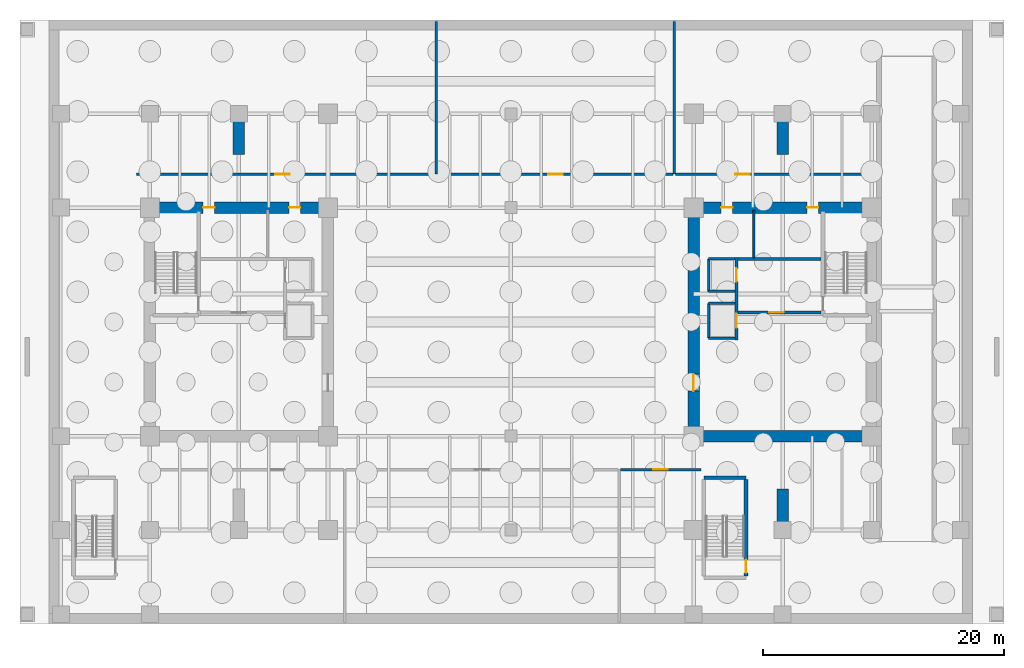
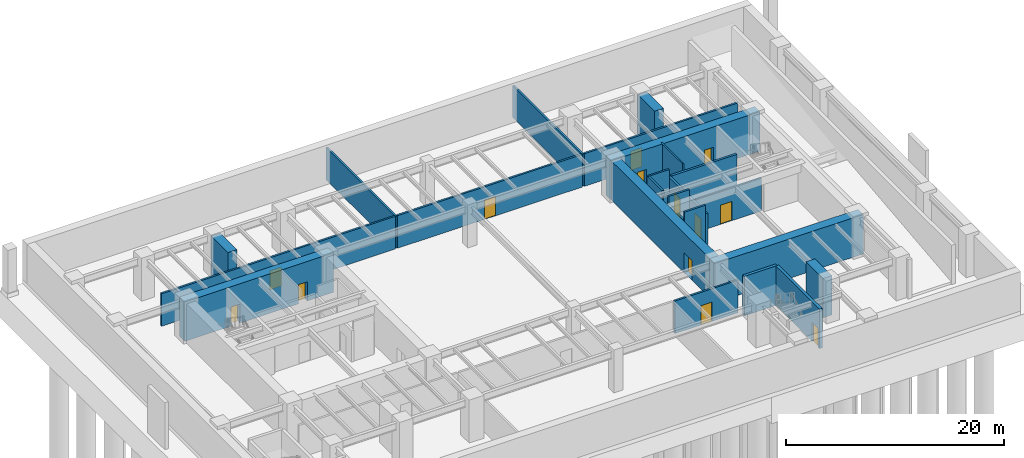
# One storey, part 4 of 8: 25 walls, 13 doors, 13 openings.
"""IFC4 building model written with IfcOpenShell, lengths in metres."""

import ifcopenshell
import ifcopenshell.guid

model = None  # the IFC model being written
_history = None  # IfcOwnerHistory: only IFC2X3 demands one
_inside = {}  # id of a spatial element -> (the spatial element, [elements in it])
_under = {}  # id of a project, library or spatial element -> (it, [spatial elements below it])
_declared = {}  # id of a project -> (the project, [libraries it declares])
_typed = {}  # id of a type object -> (the type object, [elements of that type])
_made_of = {}  # id of a material, layer set ... -> (it, [elements and type objects made of it])


def new_model(schema):
    """Start an empty IFC model of exactly this schema.

    Asked for "IFC4X3", IfcOpenShell would pick the latest addendum, in which some entities
    have other attributes; the version numbers below select the first issue.
    IFC2X3 requires an IfcOwnerHistory on every rooted entity: one is made here for all.
    """
    global model, _history
    if schema == "IFC4X3":
        model = ifcopenshell.file(schema_version=(4, 3, 0, 0))
    else:
        model = ifcopenshell.file(schema=schema)
    _inside.clear()
    _under.clear()
    _declared.clear()
    _typed.clear()
    _made_of.clear()
    _history = None
    if model.schema == "IFC2X3":
        org = make("IfcOrganization", Name="unknown")
        user = make(
            "IfcPersonAndOrganization",
            ThePerson=make("IfcPerson", FamilyName="unknown"),
            TheOrganization=org,
        )
        app = make(
            "IfcApplication",
            ApplicationDeveloper=org,
            Version="unknown",
            ApplicationFullName="unknown",
            ApplicationIdentifier="unknown",
        )
        _history = make(
            "IfcOwnerHistory",
            OwningUser=user,
            OwningApplication=app,
            ChangeAction="ADDED",
            CreationDate=0,
        )
    return model


def make(cls, **values):
    """One entity of the class cls with the attributes given. An attribute that is None is left unset."""
    return model.create_entity(
        cls, **{name: value for name, value in values.items() if value is not None}
    )


def rooted(cls, **values):
    """An entity with a GlobalId (a new one), such as an element, a storey or a relation."""
    return make(cls, GlobalId=ifcopenshell.guid.new(), OwnerHistory=_history, **values)


def si_unit(unit_type, name, prefix=None):
    """IfcSIUnit, for example si_unit("LENGTHUNIT", "METRE", prefix="MILLI")."""
    return make("IfcSIUnit", UnitType=unit_type, Prefix=prefix, Name=name)


def assignment(units):
    """IfcUnitAssignment: the units of a project."""
    return None if units is None else make("IfcUnitAssignment", Units=units)


def point(xyz):
    """IfcCartesianPoint."""
    return None if xyz is None else make("IfcCartesianPoint", Coordinates=xyz)


def direction(xyz):
    """IfcDirection."""
    return None if xyz is None else make("IfcDirection", DirectionRatios=xyz)


def frame(location, z_axis=None, x_axis=None):
    """IfcAxis2Placement3D, a coordinate frame: its origin and axes. An axis left out is left unset."""
    return make(
        "IfcAxis2Placement3D",
        Location=point(location),
        Axis=direction(z_axis),
        RefDirection=direction(x_axis),
    )


def frame_2d(location, x_axis=None):
    """IfcAxis2Placement2D, a coordinate frame in the plane: its origin and x axis."""
    return make(
        "IfcAxis2Placement2D", Location=point(location), RefDirection=direction(x_axis)
    )


def origin():
    """The frame at (0, 0, 0) with its axes left unset."""
    return frame((0.0, 0.0, 0.0))


def place(relative_to, where):
    """IfcLocalPlacement: puts the frame where relative to a parent placement (None: the world)."""
    return make(
        "IfcLocalPlacement", PlacementRelTo=relative_to, RelativePlacement=where
    )


def context(
    kind, dimensions, precision=None, world=None, true_north=None, identifier=None
):
    """IfcGeometricRepresentationContext, for example the 3D "Model" context."""
    return make(
        "IfcGeometricRepresentationContext",
        ContextIdentifier=identifier,
        ContextType=kind,
        CoordinateSpaceDimension=dimensions,
        Precision=precision,
        WorldCoordinateSystem=world,
        TrueNorth=true_north,
    )


def subcontext(parent, identifier, kind, view, scale=None):
    """IfcGeometricRepresentationSubContext, for example "Body" below "Model"."""
    return make(
        "IfcGeometricRepresentationSubContext",
        ContextIdentifier=identifier,
        ContextType=kind,
        ParentContext=parent,
        TargetScale=scale,
        TargetView=view,
    )


def project(units=None, contexts=None):
    """IfcProject with its units and contexts."""
    return rooted(
        "IfcProject",
        Name="project",
        RepresentationContexts=contexts,
        UnitsInContext=assignment(units),
    )


def spatial(cls, under=None, at=None, **own):
    """A site, building, storey or space (cls), placed at a placement, below another one or the project."""
    s = rooted(cls, ObjectPlacement=at, **own)
    if under is not None:
        _under.setdefault(under.id(), (under, []))[1].append(s)
    return s


def profile(cls, at=None, kind="AREA", **sizes):
    """A parametric profile (cls). Its sizes go by their IFC names, for example OverallWidth=200.0."""
    return make(cls, ProfileType=kind, Position=at, **sizes)


def rectangle(**sizes):
    """IfcRectangleProfileDef."""
    return profile("IfcRectangleProfileDef", **sizes)


def extrude(swept, where, along, depth):
    """IfcExtrudedAreaSolid: the profile swept, set in the frame where, extruded along a direction by depth."""
    return make(
        "IfcExtrudedAreaSolid",
        SweptArea=swept,
        Position=where,
        ExtrudedDirection=direction(along),
        Depth=depth,
    )


def shape(context_of_items, identifier, shape_type, items):
    """IfcShapeRepresentation: the items that make up one representation, for example the "Body"."""
    return make(
        "IfcShapeRepresentation",
        ContextOfItems=context_of_items,
        RepresentationIdentifier=identifier,
        RepresentationType=shape_type,
        Items=items,
    )


def source(mapping_origin, context_of_items, identifier, shape_type, items):
    """IfcRepresentationMap: a shape defined once, which mapped items show again and again."""
    return make(
        "IfcRepresentationMap",
        MappingOrigin=mapping_origin,
        MappedRepresentation=shape(context_of_items, identifier, shape_type, items),
    )


def transform(
    local_origin,
    x_axis=None,
    y_axis=None,
    z_axis=None,
    scale=None,
    scale2=None,
    scale3=None,
    uniform=True,
):
    """IfcCartesianTransformationOperator3D, or its non-uniform kind. x_axis, y_axis, z_axis: its Axis1, 2, 3."""
    if uniform:
        return make(
            "IfcCartesianTransformationOperator3D",
            Axis1=direction(x_axis),
            Axis2=direction(y_axis),
            LocalOrigin=point(local_origin),
            Scale=scale,
            Axis3=direction(z_axis),
        )
    return make(
        "IfcCartesianTransformationOperator3DnonUniform",
        Axis1=direction(x_axis),
        Axis2=direction(y_axis),
        LocalOrigin=point(local_origin),
        Scale=scale,
        Axis3=direction(z_axis),
        Scale2=scale2,
        Scale3=scale3,
    )


def mapped(mapping_source, mapping_target):
    """IfcMappedItem: shows the shape of a source again, moved by a transform."""
    return make(
        "IfcMappedItem", MappingSource=mapping_source, MappingTarget=mapping_target
    )


def material(Name=None, Category=None):
    """IfcMaterial."""
    return make("IfcMaterial", Name=Name, Category=Category)


def layer(
    of_material, thickness, ventilated=None, Name=None, Category=None, Priority=None
):
    """IfcMaterialLayer: one layer of a wall or slab, of a material (None: an air gap)."""
    return make(
        "IfcMaterialLayer",
        Material=of_material,
        LayerThickness=thickness,
        IsVentilated=ventilated,
        Name=Name,
        Category=Category,
        Priority=Priority,
    )


def layer_set(layers, Name=None):
    """IfcMaterialLayerSet."""
    return make("IfcMaterialLayerSet", MaterialLayers=layers, LayerSetName=Name)


def made_of(thing, what):
    """Note that an element or type object is made of a material, layer set ...; save() writes the relation."""
    if what is not None:
        _made_of.setdefault(what.id(), (what, []))[1].append(thing)
    return thing


def type_object(cls, material=None, **own):
    """A type object (cls), such as IfcWallType, which elements share."""
    return made_of(rooted(cls, **own), material)


def type_shapes(of_type, sources):
    """Give a type object the sources (RepresentationMaps) that its elements show as mapped items."""
    of_type.RepresentationMaps = sources


def element(
    cls,
    number,
    at=None,
    inside=None,
    cuts=None,
    type_object=None,
    material=None,
    context=None,
    identifier="Body",
    shape_type=None,
    held_by="IfcProductDefinitionShape",
    body=None,
    shapes=None,
    **own,
):
    """One element of the class cls, such as IfcWall. Its Tag is "e" and its number.

    at: its placement. inside: the storey or other place that contains it. cuts: it is an
    opening in that element (IfcRelVoidsElement). A single representation is given by context,
    identifier, shape_type and body (its items); several are given by shapes. held_by: the class
    of the entity that holds the representations. save() writes the other relations.
    """
    e = rooted(cls, Tag="e%d" % number, ObjectPlacement=at, **own)
    if body is not None:
        shapes = [shape(context, identifier, shape_type, body)]
    if shapes is not None:
        e.Representation = make(held_by, Representations=shapes)
    if inside is not None:
        _inside.setdefault(inside.id(), (inside, []))[1].append(e)
    if cuts is not None:
        rooted(
            "IfcRelVoidsElement", RelatingBuildingElement=cuts, RelatedOpeningElement=e
        )
    if type_object is not None:
        _typed.setdefault(type_object.id(), (type_object, []))[1].append(e)
    return made_of(e, material)


def fill(opening, filler):
    """IfcRelFillsElement: the door or window that sits in an opening."""
    return rooted(
        "IfcRelFillsElement",
        RelatingOpeningElement=opening,
        RelatedBuildingElement=filler,
    )


def aggregate(whole, parts):
    """IfcRelAggregates: a whole, such as a stair, and the parts it consists of."""
    return rooted("IfcRelAggregates", RelatingObject=whole, RelatedObjects=parts)


def save(model, path):
    """Write the relations noted so far, then the file.

    IfcRelAggregates (storeys below a building ...), IfcRelContainedInSpatialStructure (elements
    in a storey), IfcRelDefinesByType, IfcRelAssociatesMaterial and IfcRelDeclares: one each for
    every whole, place, type object, material and project.
    """
    for whole, parts in _under.values():
        aggregate(whole, parts)
    for where, things in _inside.values():
        rooted(
            "IfcRelContainedInSpatialStructure",
            RelatedElements=things,
            RelatingStructure=where,
        )
    for kind, things in _typed.values():
        rooted("IfcRelDefinesByType", RelatedObjects=things, RelatingType=kind)
    for what, things in _made_of.values():
        rooted("IfcRelAssociatesMaterial", RelatedObjects=things, RelatingMaterial=what)
    for by, libraries in _declared.values():
        rooted("IfcRelDeclares", RelatingContext=by, RelatedDefinitions=libraries)
    model.write(path)


model = new_model("IFC4")

# Units and contexts
model_context = context("Model", 3, precision=1e-05, world=origin(), true_north=direction((0.0, 1.0)))
body_context = subcontext(model_context, "Body", "Model", "MODEL_VIEW")
ifc_project = project(units=[si_unit("LENGTHUNIT", "METRE"), si_unit("AREAUNIT", "SQUARE_METRE"), si_unit("VOLUMEUNIT", "CUBIC_METRE"), si_unit("PLANEANGLEUNIT", "RADIAN"), si_unit("MASSUNIT", "GRAM", prefix="KILO")], contexts=[model_context])

# Site, building, storey
site_placement = place(None, origin())
site = spatial("IfcSite", under=ifc_project, at=site_placement, CompositionType="ELEMENT")
building_placement = place(site_placement, origin())
building = spatial("IfcBuilding", under=site, at=building_placement, Name="Haelvirn Gate Laboratories", CompositionType="ELEMENT")
storey_placement = place(building_placement, frame((0.0, 0.0, -14.39990234375)))
storey = spatial("IfcBuildingStorey", under=building, at=storey_placement, Name="B3", CompositionType="ELEMENT", Elevation=-14.39990234375)

# Walls
ifc_material_1 = material(Name="Cement-board restroom plumbing chase wall", Category="gypsum")
ifc_layer_1 = layer(ifc_material_1, 0.155029296875, Name="IW-PLUMB-160")
ifc_layer_set_1 = layer_set([ifc_layer_1], Name="Cement-board restroom plumbing chase wall")
wall_type_1 = type_object("IfcWallType", Name="IW-PLUMB-160", PredefinedType="PLUMBINGWALL", material=ifc_layer_set_1)
wall_1_placement = place(storey_placement, frame((57.610107421875, 29.64990234375, 0.0), z_axis=(0.0, 0.0, 1.0), x_axis=(0.0, 1.0, 0.0)))
element("IfcWall", 1, at=wall_1_placement, inside=storey, type_object=wall_type_1, Name="B3 Interior Wall IW-B3-E-CDIV-1", PredefinedType="PLUMBINGWALL", context=body_context, shape_type="SweptSolid", body=[
    extrude(rectangle(XDim=3.93017578125, YDim=0.155029296875, at=frame_2d((1.965087890625, 0.0))), origin(), (0.0, 0.0, 1.0), 4.419921875),
])
ifc_material_2 = material(Name="Concrete C40/50", Category="concrete")
ifc_layer_2 = layer(ifc_material_2, 0.199951171875, Name="IW-SHAFT-200")
ifc_layer_set_2 = layer_set([ifc_layer_2], Name="Concrete C40/50")
wall_type_2 = type_object("IfcWallType", Name="IW-SHAFT-200", PredefinedType="SOLIDWALL", material=ifc_layer_set_2)
wall_2_placement = place(storey_placement, frame((53.85009765625, 26.85009765625, 0.0), z_axis=(0.0, 0.0, 1.0), x_axis=(0.0, 1.0, 0.0)))
element("IfcWall", 2, at=wall_2_placement, inside=storey, type_object=wall_type_2, Name="B3 Interior Wall IW-B3-FL2-BK", PredefinedType="SOLIDWALL", context=body_context, shape_type="SweptSolid", body=[
    extrude(rectangle(XDim=2.699951171875, YDim=0.199951171875, at=frame_2d((1.35009765625, 0.0))), origin(), (0.0, 0.0, 1.0), 4.419921875),
])
wall_3_placement = place(storey_placement, frame((53.85009765625, 29.550048828125, 0.0), z_axis=(0.0, 0.0, 1.0), x_axis=(1.0, 0.0, 0.0)))
element("IfcWall", 3, at=wall_3_placement, inside=storey, type_object=wall_type_2, Name="B3 Interior Wall IW-B3-FL2-N", PredefinedType="SOLIDWALL", context=body_context, shape_type="SweptSolid", body=[
    extrude(rectangle(XDim=2.18994140625, YDim=0.199951171875, at=frame_2d((1.094970703125, 0.0))), origin(), (0.0, 0.0, 1.0), 4.419921875),
])
wall_4_placement = place(storey_placement, frame((53.85009765625, 26.85009765625, 0.0), z_axis=(0.0, 0.0, 1.0), x_axis=(1.0, 0.0, 0.0)))
element("IfcWall", 4, at=wall_4_placement, inside=storey, type_object=wall_type_2, Name="B3 Interior Wall IW-B3-FL2-S", PredefinedType="SOLIDWALL", context=body_context, shape_type="SweptSolid", body=[
    extrude(rectangle(XDim=2.18994140625, YDim=0.199951171875, at=frame_2d((1.094970703125, 0.0))), origin(), (0.0, 0.0, 1.0), 3.81689453125),
])
wall_5_placement = place(storey_placement, frame((53.85009765625, 22.949951171875, 0.0), z_axis=(0.0, 0.0, 1.0), x_axis=(0.0, 1.0, 0.0)))
element("IfcWall", 5, at=wall_5_placement, inside=storey, type_object=wall_type_2, Name="B3 Interior Wall IW-B3-SL2-BK", PredefinedType="SOLIDWALL", context=body_context, shape_type="SweptSolid", body=[
    extrude(rectangle(XDim=2.900146484375, YDim=0.199951171875, at=frame_2d((1.4501953125, 0.0))), origin(), (0.0, 0.0, 1.0), 3.5048828125),
])
for number, where, z_axis, x_axis, name in (
    (6, (53.85009765625, 25.85009765625, 0.0), (0.0, 0.0, 1.0), (1.0, 0.0, 0.0), "B3 Interior Wall IW-B3-SL2-N"),
    (7, (53.85009765625, 22.949951171875, 0.0), (0.0, 0.0, 1.0), (1.0, 0.0, 0.0), "B3 Interior Wall IW-B3-SL2-S"),
):
    element("IfcWall", number, at=place(storey_placement, frame(where, z_axis=z_axis, x_axis=x_axis)), inside=storey, type_object=wall_type_2, Name=name, PredefinedType="SOLIDWALL", context=body_context, shape_type="SweptSolid", body=[
        extrude(rectangle(XDim=2.18994140625, YDim=0.199951171875, at=frame_2d((1.094970703125, 0.0))), origin(), (0.0, 0.0, 1.0), 4.419921875),
    ])

# Wall, opening, door
wall_6_placement = place(storey_placement, frame((46.5, 12.02001953125, 0.0), z_axis=(0.0, 0.0, 1.0), x_axis=(1.0, 0.0, 0.0)))
wall_6 = element("IfcWall", 8, at=wall_6_placement, inside=storey, type_object=wall_type_2, Name="B3 Interior Wall IW-B3-PSW-3", PredefinedType="SOLIDWALL", context=body_context, shape_type="SweptSolid", body=[
    extrude(rectangle(XDim=6.699951171875, YDim=0.199951171875, at=frame_2d((3.35009765625, 0.0))), origin(), (0.0, 0.0, 1.0), 3.65478515625),
])
opening_1_placement = place(wall_6_placement, frame((2.75, 0.0, 0.0)))
opening_1 = element("IfcOpeningElement", 9, at=opening_1_placement, cuts=wall_6, Name="Opening FD2", PredefinedType="OPENING", context=body_context, shape_type="SweptSolid", body=[
    extrude(rectangle(XDim=1.199951171875, YDim=2.159912109375, at=frame_2d((0.60009765625, 1.080078125))), frame((0.0, 0.10986328125, 0.0), z_axis=(0.0, -1.0, 0.0), x_axis=(1.0, 0.0, 0.0)), (0.0, 0.0, 1.0), 0.219970703125),
])
ifc_material_3 = material(Name="Fire-rated steel SM355 compartment door", Category="steel")
door_type_1 = type_object("IfcDoorType", Name="DR-FD-1200", OperationType="NOTDEFINED", PredefinedType="DOOR", material=ifc_material_3)
shared_shape_1 = source(origin(), body_context, "Body", "SweptSolid", [
    extrude(rectangle(XDim=1.199951171875, YDim=2.159912109375, at=frame_2d((0.60009765625, 1.080078125))), frame((0.0, 0.02490234375, 0.0), z_axis=(0.0, -1.0, 0.0), x_axis=(1.0, 0.0, 0.0)), (0.0, 0.0, 1.0), 0.050048828125),
])
type_shapes(door_type_1, [shared_shape_1])
door_1_placement = place(opening_1_placement, origin())
door_1 = element("IfcDoor", 10, at=door_1_placement, inside=storey, type_object=door_type_1, Name="B3 Geothermal Heat-Exchange Plant Fire Door", OperationType="SINGLE_SWING_LEFT", OverallHeight=2.159912109375, OverallWidth=1.199951171875, PredefinedType="DOOR", context=body_context, shape_type="MappedRepresentation", body=[
    mapped(shared_shape_1, transform((0.0, 0.0, 0.0), scale=1.0)),
])
fill(opening_1, door_1)

wall_7_placement = place(storey_placement, frame((6.300048828125, 36.580078125, 0.0), z_axis=(0.0, 0.0, 1.0), x_axis=(1.0, 0.0, 0.0)))
wall_7 = element("IfcWall", 11, at=wall_7_placement, inside=storey, type_object=wall_type_2, Name="B3 Interior Wall IW-B3-PNW-1", PredefinedType="SOLIDWALL", context=body_context, shape_type="SweptSolid", body=[
    extrude(rectangle(XDim=24.800048828125, YDim=0.199951171875, at=frame_2d((12.39990234375, 0.0))), origin(), (0.0, 0.0, 1.0), 3.65478515625),
])
opening_2_placement = place(wall_7_placement, frame((11.52294921875, 0.0, 0.0)))
opening_2 = element("IfcOpeningElement", 12, at=opening_2_placement, cuts=wall_7, Name="Opening FD2", PredefinedType="OPENING", context=body_context, shape_type="SweptSolid", body=[
    extrude(rectangle(XDim=1.199951171875, YDim=2.159912109375, at=frame_2d((0.60009765625, 1.080078125))), frame((0.0, 0.10986328125, 0.0), z_axis=(0.0, -1.0, 0.0), x_axis=(1.0, 0.0, 0.0)), (0.0, 0.0, 1.0), 0.219970703125),
])
door_2_placement = place(opening_2_placement, origin())
door_2 = element("IfcDoor", 13, at=door_2_placement, inside=storey, type_object=door_type_1, Name="B3 Ultrapure Lab Water Plant Fire Door", OperationType="SINGLE_SWING_RIGHT", OverallHeight=2.159912109375, OverallWidth=1.199951171875, PredefinedType="DOOR", context=body_context, shape_type="MappedRepresentation", body=[
    mapped(shared_shape_1, transform((0.0, 0.0, 0.0), scale=1.0)),
])
fill(opening_2, door_2)

# Wall
wall_8_placement = place(storey_placement, frame((31.199951171875, 36.580078125, 0.0), z_axis=(0.0, 0.0, 1.0), x_axis=(0.0, 1.0, 0.0)))
element("IfcWall", 14, at=wall_8_placement, inside=storey, type_object=wall_type_2, Name="B3 Interior Wall IW-B3-PNDIV-1", PredefinedType="SOLIDWALL", context=body_context, shape_type="SweptSolid", body=[
    extrude(rectangle(XDim=12.7099609375, YDim=0.199951171875, at=frame_2d((6.35498046875, 0.0))), origin(), (0.0, 0.0, 1.0), 3.60498046875),
])

# Wall, opening, door
wall_9_placement = place(storey_placement, frame((31.300048828125, 36.580078125, 0.0), z_axis=(0.0, 0.0, 1.0), x_axis=(1.0, 0.0, 0.0)))
wall_9 = element("IfcWall", 15, at=wall_9_placement, inside=storey, type_object=wall_type_2, Name="B3 Interior Wall IW-B3-PNW-2", PredefinedType="SOLIDWALL", context=body_context, shape_type="SweptSolid", body=[
    extrude(rectangle(XDim=19.599853515625, YDim=0.199951171875, at=frame_2d((9.7998046875, 0.0))), origin(), (0.0, 0.0, 1.0), 3.65478515625),
])
opening_3_placement = place(wall_9_placement, frame((9.199951171875, 0.0, 0.0)))
opening_3 = element("IfcOpeningElement", 16, at=opening_3_placement, cuts=wall_9, Name="Opening FD2", PredefinedType="OPENING", context=body_context, shape_type="SweptSolid", body=[
    extrude(rectangle(XDim=1.199951171875, YDim=2.159912109375, at=frame_2d((0.60009765625, 1.080078125))), frame((0.0, 0.10986328125, 0.0), z_axis=(0.0, -1.0, 0.0), x_axis=(1.0, 0.0, 0.0)), (0.0, 0.0, 1.0), 0.219970703125),
])
door_3_placement = place(opening_3_placement, origin())
door_3 = element("IfcDoor", 17, at=door_3_placement, inside=storey, type_object=door_type_1, Name="B3 Neutralization & Effluent Tank Room Fire Door", OperationType="SINGLE_SWING_LEFT", OverallHeight=2.159912109375, OverallWidth=1.199951171875, PredefinedType="DOOR", context=body_context, shape_type="MappedRepresentation", body=[
    mapped(shared_shape_1, transform((0.0, 0.0, 0.0), scale=1.0)),
])
fill(opening_3, door_3)

# Wall
wall_10_placement = place(storey_placement, frame((51.0, 36.580078125, 0.0), z_axis=(0.0, 0.0, 1.0), x_axis=(0.0, 1.0, 0.0)))
element("IfcWall", 18, at=wall_10_placement, inside=storey, type_object=wall_type_2, Name="B3 Interior Wall IW-B3-PNDIV-2", PredefinedType="SOLIDWALL", context=body_context, shape_type="SweptSolid", body=[
    extrude(rectangle(XDim=12.7099609375, YDim=0.199951171875, at=frame_2d((6.35498046875, 0.0))), origin(), (0.0, 0.0, 1.0), 3.60498046875),
])

# Wall, opening, door
wall_11_placement = place(storey_placement, frame((51.10009765625, 36.580078125, 0.0), z_axis=(0.0, 0.0, 1.0), x_axis=(1.0, 0.0, 0.0)))
wall_11 = element("IfcWall", 19, at=wall_11_placement, inside=storey, type_object=wall_type_2, Name="B3 Interior Wall IW-B3-PNW-3", PredefinedType="SOLIDWALL", context=body_context, shape_type="SweptSolid", body=[
    extrude(rectangle(XDim=16.2998046875, YDim=0.199951171875, at=frame_2d((8.14990234375, 0.0))), origin(), (0.0, 0.0, 1.0), 3.65478515625),
])
opening_4_placement = place(wall_11_placement, frame((4.94384765625, 0.0, 0.0)))
opening_4 = element("IfcOpeningElement", 20, at=opening_4_placement, cuts=wall_11, Name="Opening FD2", PredefinedType="OPENING", context=body_context, shape_type="SweptSolid", body=[
    extrude(rectangle(XDim=1.199951171875, YDim=2.159912109375, at=frame_2d((0.60009765625, 1.080078125))), frame((0.0, 0.10986328125, 0.0), z_axis=(0.0, -1.0, 0.0), x_axis=(1.0, 0.0, 0.0)), (0.0, 0.0, 1.0), 0.219970703125),
])
door_4_placement = place(opening_4_placement, origin())
door_4 = element("IfcDoor", 21, at=door_4_placement, inside=storey, type_object=door_type_1, Name="B3 Standby Emergency Generator Hall Fire Door", OperationType="SINGLE_SWING_RIGHT", OverallHeight=2.159912109375, OverallWidth=1.199951171875, PredefinedType="DOOR", context=body_context, shape_type="MappedRepresentation", body=[
    mapped(shared_shape_1, transform((0.0, 0.0, 0.0), scale=1.0)),
])
fill(opening_4, door_4)

ifc_layer_3 = layer(ifc_material_2, 0.239990234375, Name="IW-SHAFT-240")
ifc_layer_set_3 = layer_set([ifc_layer_3], Name="Concrete C40/50")
wall_type_3 = type_object("IfcWallType", Name="IW-SHAFT-240", PredefinedType="SOLIDWALL", material=ifc_layer_set_3)
wall_12_placement = place(storey_placement, frame((56.280029296875, 25.080078125, 0.0), z_axis=(0.0, 0.0, 1.0), x_axis=(1.0, 0.0, 0.0)))
wall_12 = element("IfcWall", 22, at=wall_12_placement, inside=storey, type_object=wall_type_3, Name="B3 Interior Wall IW-B3-E-FF-S", PredefinedType="SOLIDWALL", context=body_context, shape_type="SweptSolid", body=[
    extrude(rectangle(XDim=6.919921875, YDim=0.239990234375, at=frame_2d((3.4599609375, 0.0))), origin(), (0.0, 0.0, 1.0), 3.65478515625),
])
opening_5_placement = place(wall_12_placement, frame((2.60009765625, 0.0, 0.0)))
opening_5 = element("IfcOpeningElement", 23, at=opening_5_placement, cuts=wall_12, Name="Opening FD2", PredefinedType="OPENING", context=body_context, shape_type="SweptSolid", body=[
    extrude(rectangle(XDim=1.199951171875, YDim=2.159912109375, at=frame_2d((0.60009765625, 1.080078125))), frame((0.0, 0.1298828125, 0.0), z_axis=(0.0, -1.0, 0.0), x_axis=(1.0, 0.0, 0.0)), (0.0, 0.0, 1.0), 0.260009765625),
])
door_5_placement = place(opening_5_placement, origin())
door_5 = element("IfcDoor", 24, at=door_5_placement, inside=storey, type_object=door_type_1, Name="B3 East Firefighting Lobby Door", OperationType="SINGLE_SWING_LEFT", OverallHeight=2.159912109375, OverallWidth=1.199951171875, PredefinedType="DOOR", context=body_context, shape_type="MappedRepresentation", body=[
    mapped(shared_shape_1, transform((0.0, 0.0, 0.0), scale=1.0)),
])
fill(opening_5, door_5)

# Wall
wall_13_placement = place(storey_placement, frame((56.280029296875, 29.52001953125, 0.0), z_axis=(0.0, 0.0, 1.0), x_axis=(1.0, 0.0, 0.0)))
element("IfcWall", 25, at=wall_13_placement, inside=storey, type_object=wall_type_3, Name="B3 Interior Wall IW-B3-E-FF-N", PredefinedType="SOLIDWALL", context=body_context, shape_type="SweptSolid", body=[
    extrude(rectangle(XDim=6.919921875, YDim=0.239990234375, at=frame_2d((3.4599609375, 0.0))), origin(), (0.0, 0.0, 1.0), 3.65478515625),
])

# Wall, openings, doors
wall_14_placement = place(storey_placement, frame((56.159912109375, 22.800048828125, 0.0), z_axis=(0.0, 0.0, 1.0), x_axis=(0.0, 1.0, 0.0)))
wall_14 = element("IfcWall", 26, at=wall_14_placement, inside=storey, type_object=wall_type_3, Name="B3 Interior Wall IW-B3-E-FF-E", PredefinedType="SOLIDWALL", context=body_context, shape_type="SweptSolid", body=[
    extrude(rectangle(XDim=6.849853515625, YDim=0.239990234375, at=frame_2d((3.4248046875, 0.0))), origin(), (0.0, 0.0, 1.0), 3.5048828125),
])
opening_6_placement = place(wall_14_placement, frame((4.85009765625, 0.0, 0.0)))
opening_6 = element("IfcOpeningElement", 27, at=opening_6_placement, cuts=wall_14, Name="Opening LD2", PredefinedType="OPENING", context=body_context, shape_type="SweptSolid", body=[
    extrude(rectangle(XDim=1.10009765625, YDim=2.219970703125, at=frame_2d((0.550048828125, 1.10986328125))), frame((0.0, 0.1298828125, 0.0), z_axis=(0.0, -1.0, 0.0), x_axis=(1.0, 0.0, 0.0)), (0.0, 0.0, 1.0), 0.260009765625),
])
opening_7_placement = place(wall_14_placement, frame((1.0, 0.0, 0.0)))
opening_7 = element("IfcOpeningElement", 28, at=opening_7_placement, cuts=wall_14, Name="Opening LD1", PredefinedType="OPENING", context=body_context, shape_type="SweptSolid", body=[
    extrude(rectangle(XDim=1.199951171875, YDim=2.219970703125, at=frame_2d((0.60009765625, 1.10986328125))), frame((0.0, 0.1298828125, 0.0), z_axis=(0.0, -1.0, 0.0), x_axis=(1.0, 0.0, 0.0)), (0.0, 0.0, 1.0), 0.260009765625),
])
ifc_material_4 = material(Name="Bronze stainless 316L sliding lift landing door")
door_type_2 = type_object("IfcDoorType", Name="DR-LD-1100", OperationType="NOTDEFINED", PredefinedType="USERDEFINED", material=ifc_material_4)
shared_shape_2 = source(origin(), body_context, "Body", "SweptSolid", [
    extrude(rectangle(XDim=1.10009765625, YDim=2.219970703125, at=frame_2d((0.550048828125, 1.10986328125))), frame((0.0, 0.02490234375, 0.0), z_axis=(0.0, -1.0, 0.0), x_axis=(1.0, 0.0, 0.0)), (0.0, 0.0, 1.0), 0.050048828125),
])
type_shapes(door_type_2, [shared_shape_2])
door_6_placement = place(opening_6_placement, origin())
door_6 = element("IfcDoor", 29, at=door_6_placement, inside=storey, type_object=door_type_2, Name="B3 Firefighting Lift FL2 Landing Door", ObjectType="LANDING_DOOR", OperationType="SLIDING_TO_RIGHT", OverallHeight=2.219970703125, OverallWidth=1.10009765625, PredefinedType="USERDEFINED", context=body_context, shape_type="MappedRepresentation", body=[
    mapped(shared_shape_2, transform((0.0, 0.0, 0.0), scale=1.0)),
])
fill(opening_6, door_6)
ifc_material_5 = material(Name="Stainless steel 316L sliding goods landing door", Category="steel")
door_type_3 = type_object("IfcDoorType", Name="DR-LD-1200", OperationType="NOTDEFINED", PredefinedType="USERDEFINED", material=ifc_material_5)
shared_shape_3 = source(origin(), body_context, "Body", "SweptSolid", [
    extrude(rectangle(XDim=1.199951171875, YDim=2.219970703125, at=frame_2d((0.60009765625, 1.10986328125))), frame((0.0, 0.02490234375, 0.0), z_axis=(0.0, -1.0, 0.0), x_axis=(1.0, 0.0, 0.0)), (0.0, 0.0, 1.0), 0.050048828125),
])
type_shapes(door_type_3, [shared_shape_3])
door_7_placement = place(opening_7_placement, origin())
door_7 = element("IfcDoor", 30, at=door_7_placement, inside=storey, type_object=door_type_3, Name="B3 Service Lift SL2 Landing Door", ObjectType="LANDING_DOOR", OperationType="SLIDING_TO_LEFT", OverallHeight=2.219970703125, OverallWidth=1.199951171875, PredefinedType="USERDEFINED", context=body_context, shape_type="MappedRepresentation", body=[
    mapped(shared_shape_3, transform((0.0, 0.0, 0.0), scale=1.0)),
])
fill(opening_7, door_7)

ifc_material_6 = material(Name="Concrete C70/85", Category="concrete")
ifc_layer_4 = layer(ifc_material_6, 0.949951171875, Name="SW-CORE-950")
ifc_layer_set_4 = layer_set([ifc_layer_4], Name="Concrete C70/85")
wall_type_4 = type_object("IfcWallType", Name="SW-CORE-950", PredefinedType="SHEAR", material=ifc_layer_set_4)
wall_15_placement = place(storey_placement, frame((6.925048828125, 33.800048828125, 0.0), z_axis=(0.0, 0.0, 1.0), x_axis=(1.0, 0.0, 0.0)))
wall_15 = element("IfcWall", 31, at=wall_15_placement, inside=storey, type_object=wall_type_4, Name="B3 W Core Shear Wall N", PredefinedType="SHEAR", context=body_context, shape_type="SweptSolid", body=[
    extrude(rectangle(XDim=15.75, YDim=0.949951171875, at=frame_2d((7.875, 0.0))), origin(), (0.0, 0.0, 1.0), 4.419921875),
])
opening_8_placement = place(wall_15_placement, frame((4.89990234375, 0.0, 0.0)))
opening_8 = element("IfcOpeningElement", 32, at=opening_8_placement, cuts=wall_15, Name="Opening FD4", PredefinedType="OPENING", context=body_context, shape_type="SweptSolid", body=[
    extrude(rectangle(XDim=0.949951171875, YDim=2.14990234375, at=frame_2d((0.47509765625, 1.074951171875))), frame((0.0, 0.48486328125, 0.0), z_axis=(0.0, -1.0, 0.0), x_axis=(1.0, 0.0, 0.0)), (0.0, 0.0, 1.0), 0.969970703125),
])
opening_9_placement = place(wall_15_placement, frame((12.0400390625, 0.0, 0.0)))
opening_9 = element("IfcOpeningElement", 33, at=opening_9_placement, cuts=wall_15, Name="Opening FD4", PredefinedType="OPENING", context=body_context, shape_type="SweptSolid", body=[
    extrude(rectangle(XDim=0.949951171875, YDim=2.14990234375, at=frame_2d((0.47509765625, 1.074951171875))), frame((0.0, 0.48486328125, 0.0), z_axis=(0.0, -1.0, 0.0), x_axis=(1.0, 0.0, 0.0)), (0.0, 0.0, 1.0), 0.969970703125),
])
ifc_material_7 = material(Name="Fire-rated steel SM355 core service door", Category="steel")
door_type_4 = type_object("IfcDoorType", Name="DR-FD-950", OperationType="NOTDEFINED", PredefinedType="DOOR", material=ifc_material_7)
shared_shape_4 = source(origin(), body_context, "Body", "SweptSolid", [
    extrude(rectangle(XDim=0.949951171875, YDim=2.14990234375, at=frame_2d((0.47509765625, 1.074951171875))), frame((0.0, 0.02490234375, 0.0), z_axis=(0.0, -1.0, 0.0), x_axis=(1.0, 0.0, 0.0)), (0.0, 0.0, 1.0), 0.050048828125),
])
type_shapes(door_type_4, [shared_shape_4])
door_8_placement = place(opening_8_placement, origin())
door_8 = element("IfcDoor", 34, at=door_8_placement, inside=storey, type_object=door_type_4, Name="B3 All-Gender Multi-Stall Restroom Fire Door", OperationType="SINGLE_SWING_LEFT", OverallHeight=2.14990234375, OverallWidth=0.949951171875, PredefinedType="DOOR", context=body_context, shape_type="MappedRepresentation", body=[
    mapped(shared_shape_4, transform((0.0, 0.0, 0.0), scale=1.0)),
])
fill(opening_8, door_8)
door_9_placement = place(opening_9_placement, origin())
door_9 = element("IfcDoor", 35, at=door_9_placement, inside=storey, type_object=door_type_4, Name="B3 Accessible Restroom Fire Door", OperationType="SINGLE_SWING_RIGHT", OverallHeight=2.14990234375, OverallWidth=0.949951171875, PredefinedType="DOOR", context=body_context, shape_type="MappedRepresentation", body=[
    mapped(shared_shape_4, transform((0.0, 0.0, 0.0), scale=1.0)),
])
fill(opening_9, door_9)

# Wall
wall_16_placement = place(storey_placement, frame((52.125, 14.800048828125, 0.0), z_axis=(0.0, 0.0, 1.0), x_axis=(1.0, 0.0, 0.0)))
element("IfcWall", 36, at=wall_16_placement, inside=storey, type_object=wall_type_4, Name="B3 E Core Shear Wall S", PredefinedType="SHEAR", context=body_context, shape_type="SweptSolid", body=[
    extrude(rectangle(XDim=15.75, YDim=0.949951171875, at=frame_2d((7.875, 0.0))), origin(), (0.0, 0.0, 1.0), 4.419921875),
])

# Wall, openings, doors
wall_17_placement = place(storey_placement, frame((52.125, 33.800048828125, 0.0), z_axis=(0.0, 0.0, 1.0), x_axis=(1.0, 0.0, 0.0)))
wall_17 = element("IfcWall", 37, at=wall_17_placement, inside=storey, type_object=wall_type_4, Name="B3 E Core Shear Wall N", PredefinedType="SHEAR", context=body_context, shape_type="SweptSolid", body=[
    extrude(rectangle(XDim=15.75, YDim=0.949951171875, at=frame_2d((7.875, 0.0))), origin(), (0.0, 0.0, 1.0), 4.419921875),
])
opening_10_placement = place(wall_17_placement, frame((9.89990234375, 0.0, 0.0)))
opening_10 = element("IfcOpeningElement", 38, at=opening_10_placement, cuts=wall_17, Name="Opening FD4", PredefinedType="OPENING", context=body_context, shape_type="SweptSolid", body=[
    extrude(rectangle(XDim=0.949951171875, YDim=2.14990234375, at=frame_2d((0.47509765625, 1.074951171875))), frame((0.0, 0.48486328125, 0.0), z_axis=(0.0, -1.0, 0.0), x_axis=(1.0, 0.0, 0.0)), (0.0, 0.0, 1.0), 0.969970703125),
])
opening_11_placement = place(wall_17_placement, frame((2.760009765625, 0.0, 0.0)))
opening_11 = element("IfcOpeningElement", 39, at=opening_11_placement, cuts=wall_17, Name="Opening FD4", PredefinedType="OPENING", context=body_context, shape_type="SweptSolid", body=[
    extrude(rectangle(XDim=0.949951171875, YDim=2.14990234375, at=frame_2d((0.47509765625, 1.074951171875))), frame((0.0, 0.48486328125, 0.0), z_axis=(0.0, -1.0, 0.0), x_axis=(1.0, 0.0, 0.0)), (0.0, 0.0, 1.0), 0.969970703125),
])
door_10_placement = place(opening_10_placement, origin())
door_10 = element("IfcDoor", 40, at=door_10_placement, inside=storey, type_object=door_type_4, Name="B3 All-Gender Multi-Stall Restroom Fire Door", OperationType="SINGLE_SWING_LEFT", OverallHeight=2.14990234375, OverallWidth=0.949951171875, PredefinedType="DOOR", context=body_context, shape_type="MappedRepresentation", body=[
    mapped(shared_shape_4, transform((0.0, 0.0, 0.0), scale=1.0)),
])
fill(opening_10, door_10)
door_11_placement = place(opening_11_placement, origin())
door_11 = element("IfcDoor", 41, at=door_11_placement, inside=storey, type_object=door_type_4, Name="B3 Accessible Restroom Fire Door", OperationType="SINGLE_SWING_RIGHT", OverallHeight=2.14990234375, OverallWidth=0.949951171875, PredefinedType="DOOR", context=body_context, shape_type="MappedRepresentation", body=[
    mapped(shared_shape_4, transform((0.0, 0.0, 0.0), scale=1.0)),
])
fill(opening_11, door_11)

# Wall, opening, door
wall_18_placement = place(storey_placement, frame((52.60009765625, 15.27490234375, 0.0), z_axis=(0.0, 0.0, 1.0), x_axis=(0.0, 1.0, 0.0)))
wall_18 = element("IfcWall", 42, at=wall_18_placement, inside=storey, type_object=wall_type_4, Name="B3 E Core Shear Wall W", PredefinedType="SHEAR", context=body_context, shape_type="SweptSolid", body=[
    extrude(rectangle(XDim=18.050048828125, YDim=0.949951171875, at=frame_2d((9.02490234375, 0.0))), origin(), (0.0, 0.0, 1.0), 4.419921875),
])
opening_12_placement = place(wall_18_placement, frame((3.27490234375, 0.0, 0.0)))
opening_12 = element("IfcOpeningElement", 43, at=opening_12_placement, cuts=wall_18, Name="Opening FD1", PredefinedType="OPENING", context=body_context, shape_type="SweptSolid", body=[
    extrude(rectangle(XDim=1.419921875, YDim=2.199951171875, at=frame_2d((0.7099609375, 1.10009765625))), frame((0.0, 0.48486328125, 0.0), z_axis=(0.0, -1.0, 0.0), x_axis=(1.0, 0.0, 0.0)), (0.0, 0.0, 1.0), 0.969970703125),
])
ifc_material_8 = material(Name="Fire-rated double steel SM355 lobby door", Category="steel")
door_type_5 = type_object("IfcDoorType", Name="DR-FD-1400", OperationType="NOTDEFINED", PredefinedType="DOOR", material=ifc_material_8)
shared_shape_5 = source(origin(), body_context, "Body", "SweptSolid", [
    extrude(rectangle(XDim=1.419921875, YDim=2.199951171875, at=frame_2d((0.7099609375, 1.10009765625))), frame((0.0, 0.02490234375, 0.0), z_axis=(0.0, -1.0, 0.0), x_axis=(1.0, 0.0, 0.0)), (0.0, 0.0, 1.0), 0.050048828125),
])
type_shapes(door_type_5, [shared_shape_5])
door_12_placement = place(opening_12_placement, origin())
door_12 = element("IfcDoor", 44, at=door_12_placement, inside=storey, type_object=door_type_5, Name="B3 East Core Lift Lobby Fire Door", OperationType="DOUBLE_DOOR_SINGLE_SWING", OverallHeight=2.199951171875, OverallWidth=1.419921875, PredefinedType="DOOR", context=body_context, shape_type="MappedRepresentation", body=[
    mapped(shared_shape_5, transform((0.0, 0.0, 0.0), scale=1.0)),
])
fill(opening_12, door_12)

# Walls
wall_19_placement = place(storey_placement, frame((14.800048828125, 38.199951171875, 0.0), z_axis=(0.0, 0.0, 1.0), x_axis=(0.0, 1.0, 0.0)))
element("IfcWall", 45, at=wall_19_placement, inside=storey, type_object=wall_type_4, Name="B3 Transverse Slab Shear Wall W-N", PredefinedType="SHEAR", context=body_context, shape_type="SweptSolid", body=[
    extrude(rectangle(XDim=3.10009765625, YDim=0.949951171875, at=frame_2d((1.550048828125, 0.0))), origin(), (0.0, 0.0, 1.0), 4.419921875),
])
wall_20_placement = place(storey_placement, frame((60.0, 7.300048828125, 0.0), z_axis=(0.0, 0.0, 1.0), x_axis=(0.0, 1.0, 0.0)))
element("IfcWall", 46, at=wall_20_placement, inside=storey, type_object=wall_type_4, Name="B3 Transverse Slab Shear Wall E-S", PredefinedType="SHEAR", context=body_context, shape_type="SweptSolid", body=[
    extrude(rectangle(XDim=3.099853515625, YDim=0.949951171875, at=frame_2d((1.5498046875, 0.0))), origin(), (0.0, 0.0, 1.0), 4.419921875),
])
wall_21_placement = place(storey_placement, frame((60.0, 38.199951171875, 0.0), z_axis=(0.0, 0.0, 1.0), x_axis=(0.0, 1.0, 0.0)))
element("IfcWall", 47, at=wall_21_placement, inside=storey, type_object=wall_type_4, Name="B3 Transverse Slab Shear Wall E-N", PredefinedType="SHEAR", context=body_context, shape_type="SweptSolid", body=[
    extrude(rectangle(XDim=3.10009765625, YDim=0.949951171875, at=frame_2d((1.550048828125, 0.0))), origin(), (0.0, 0.0, 1.0), 4.419921875),
])
ifc_material_9 = material(Name="Concrete C50/60", Category="concrete")
ifc_layer_5 = layer(ifc_material_9, 0.300048828125, Name="SW-STAIR-300")
ifc_layer_set_5 = layer_set([ifc_layer_5], Name="Concrete C50/60")
wall_type_5 = type_object("IfcWallType", Name="SW-STAIR-300", PredefinedType="SHEAR", material=ifc_layer_set_5)
wall_22_placement = place(storey_placement, frame((53.449951171875, 11.35009765625, 0.0), z_axis=(0.0, 0.0, 1.0), x_axis=(1.0, 0.0, 0.0)))
element("IfcWall", 48, at=wall_22_placement, inside=storey, type_object=wall_type_5, Name="B3 Podium Stair ST4 Structural Wall N", PredefinedType="SHEAR", context=body_context, shape_type="SweptSolid", body=[
    extrude(rectangle(XDim=3.5, YDim=0.300048828125, at=frame_2d((1.75, 0.0))), origin(), (0.0, 0.0, 1.0), 4.419921875),
])

# Wall, opening, door
wall_23_placement = place(storey_placement, frame((56.949951171875, 3.199951171875, 0.0), z_axis=(0.0, 0.0, 1.0), x_axis=(0.0, 1.0, 0.0)))
wall_23 = element("IfcWall", 49, at=wall_23_placement, inside=storey, type_object=wall_type_5, Name="B3 Podium Stair ST4 Structural Wall E", PredefinedType="SHEAR", context=body_context, shape_type="SweptSolid", body=[
    extrude(rectangle(XDim=8.0, YDim=0.300048828125, at=frame_2d((4.0, 0.0))), origin(), (0.0, 0.0, 1.0), 4.419921875),
])
opening_13_placement = place(wall_23_placement, frame((0.25, 0.0, 0.0)))
opening_13 = element("IfcOpeningElement", 50, at=opening_13_placement, cuts=wall_23, Name="Opening FD3", PredefinedType="OPENING", context=body_context, shape_type="SweptSolid", body=[
    extrude(rectangle(XDim=1.10009765625, YDim=2.14990234375, at=frame_2d((0.550048828125, 1.074951171875))), frame((0.0, 0.16015625, 0.0), z_axis=(0.0, -1.0, 0.0), x_axis=(1.0, 0.0, 0.0)), (0.0, 0.0, 1.0), 0.320068359375),
])
ifc_material_10 = material(Name="Fire-rated steel SM355 escape stair door", Category="steel")
door_type_6 = type_object("IfcDoorType", Name="DR-FD-1100", OperationType="NOTDEFINED", PredefinedType="DOOR", material=ifc_material_10)
shared_shape_6 = source(origin(), body_context, "Body", "SweptSolid", [
    extrude(rectangle(XDim=1.10009765625, YDim=2.14990234375, at=frame_2d((0.550048828125, 1.074951171875))), frame((0.0, 0.02490234375, 0.0), z_axis=(0.0, -1.0, 0.0), x_axis=(1.0, 0.0, 0.0)), (0.0, 0.0, 1.0), 0.050048828125),
])
type_shapes(door_type_6, [shared_shape_6])
door_13_placement = place(opening_13_placement, origin())
door_13 = element("IfcDoor", 51, at=door_13_placement, inside=storey, type_object=door_type_6, Name="B3 Escape Stair ST4 Fire Door", OperationType="SINGLE_SWING_RIGHT", OverallHeight=2.14990234375, OverallWidth=1.10009765625, PredefinedType="DOOR", context=body_context, shape_type="MappedRepresentation", body=[
    mapped(shared_shape_6, transform((0.0, 0.0, 0.0), scale=1.0)),
])
fill(opening_13, door_13)

save(model, "model.ifc")
